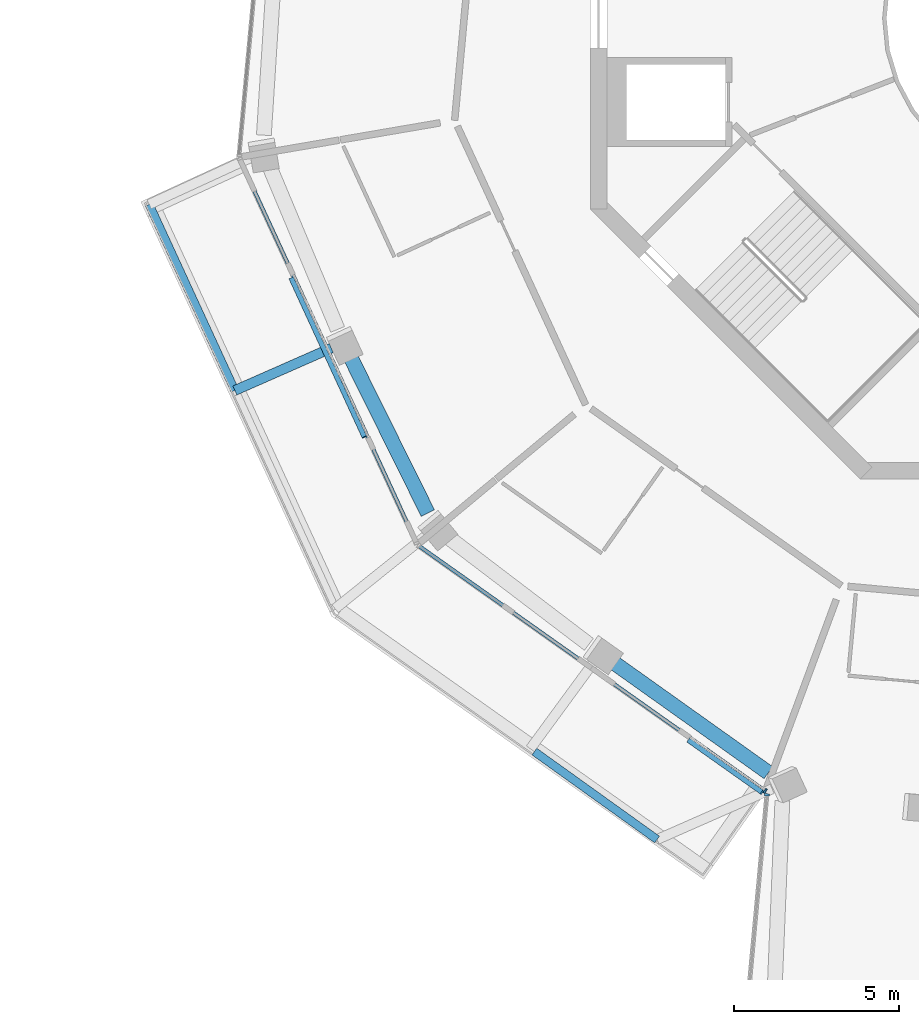
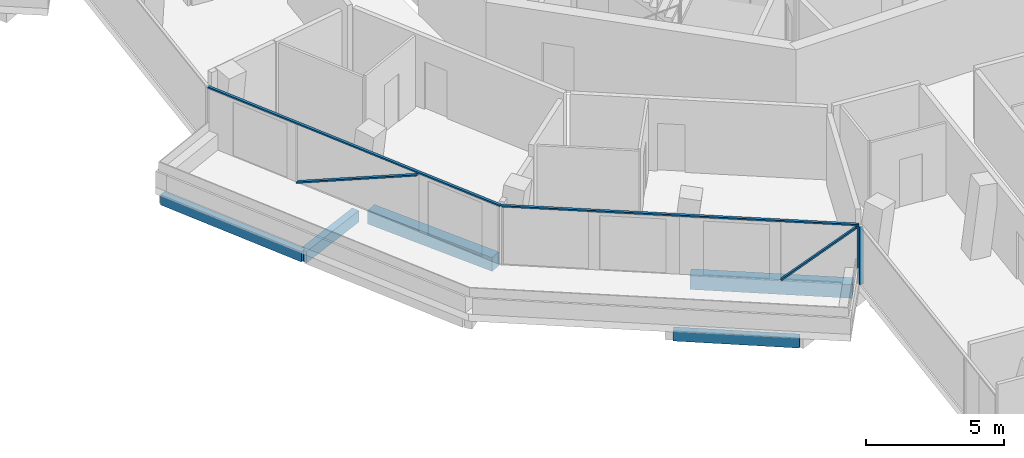
# One storey, part 3 of 23: 6 members, 5 beams, 3 elements without a shape of their own.
"""IFC4 building model written with IfcOpenShell, lengths in metres."""

import ifcopenshell
import ifcopenshell.guid

model = None  # the IFC model being written
_history = None  # IfcOwnerHistory: only IFC2X3 demands one
_inside = {}  # id of a spatial element -> (the spatial element, [elements in it])
_under = {}  # id of a project, library or spatial element -> (it, [spatial elements below it])
_declared = {}  # id of a project -> (the project, [libraries it declares])
_typed = {}  # id of a type object -> (the type object, [elements of that type])
_made_of = {}  # id of a material, layer set ... -> (it, [elements and type objects made of it])


def new_model(schema):
    """Start an empty IFC model of exactly this schema.

    Asked for "IFC4X3", IfcOpenShell would pick the latest addendum, in which some entities
    have other attributes; the version numbers below select the first issue.
    IFC2X3 requires an IfcOwnerHistory on every rooted entity: one is made here for all.
    """
    global model, _history
    if schema == "IFC4X3":
        model = ifcopenshell.file(schema_version=(4, 3, 0, 0))
    else:
        model = ifcopenshell.file(schema=schema)
    _inside.clear()
    _under.clear()
    _declared.clear()
    _typed.clear()
    _made_of.clear()
    _history = None
    if model.schema == "IFC2X3":
        org = make("IfcOrganization", Name="unknown")
        user = make(
            "IfcPersonAndOrganization",
            ThePerson=make("IfcPerson", FamilyName="unknown"),
            TheOrganization=org,
        )
        app = make(
            "IfcApplication",
            ApplicationDeveloper=org,
            Version="unknown",
            ApplicationFullName="unknown",
            ApplicationIdentifier="unknown",
        )
        _history = make(
            "IfcOwnerHistory",
            OwningUser=user,
            OwningApplication=app,
            ChangeAction="ADDED",
            CreationDate=0,
        )
    return model


def make(cls, **values):
    """One entity of the class cls with the attributes given. An attribute that is None is left unset."""
    return model.create_entity(
        cls, **{name: value for name, value in values.items() if value is not None}
    )


def rooted(cls, **values):
    """An entity with a GlobalId (a new one), such as an element, a storey or a relation."""
    return make(cls, GlobalId=ifcopenshell.guid.new(), OwnerHistory=_history, **values)


def si_unit(unit_type, name, prefix=None):
    """IfcSIUnit, for example si_unit("LENGTHUNIT", "METRE", prefix="MILLI")."""
    return make("IfcSIUnit", UnitType=unit_type, Prefix=prefix, Name=name)


def assignment(units):
    """IfcUnitAssignment: the units of a project."""
    return None if units is None else make("IfcUnitAssignment", Units=units)


def point(xyz):
    """IfcCartesianPoint."""
    return None if xyz is None else make("IfcCartesianPoint", Coordinates=xyz)


def direction(xyz):
    """IfcDirection."""
    return None if xyz is None else make("IfcDirection", DirectionRatios=xyz)


def frame(location, z_axis=None, x_axis=None):
    """IfcAxis2Placement3D, a coordinate frame: its origin and axes. An axis left out is left unset."""
    return make(
        "IfcAxis2Placement3D",
        Location=point(location),
        Axis=direction(z_axis),
        RefDirection=direction(x_axis),
    )


def frame_2d(location, x_axis=None):
    """IfcAxis2Placement2D, a coordinate frame in the plane: its origin and x axis."""
    return make(
        "IfcAxis2Placement2D", Location=point(location), RefDirection=direction(x_axis)
    )


def origin():
    """The frame at (0, 0, 0) with its axes left unset."""
    return frame((0.0, 0.0, 0.0))


def origin_2d():
    """The frame at (0, 0) in the plane with its x axis left unset."""
    return frame_2d((0.0, 0.0))


def place(relative_to, where):
    """IfcLocalPlacement: puts the frame where relative to a parent placement (None: the world)."""
    return make(
        "IfcLocalPlacement", PlacementRelTo=relative_to, RelativePlacement=where
    )


def context(
    kind, dimensions, precision=None, world=None, true_north=None, identifier=None
):
    """IfcGeometricRepresentationContext, for example the 3D "Model" context."""
    return make(
        "IfcGeometricRepresentationContext",
        ContextIdentifier=identifier,
        ContextType=kind,
        CoordinateSpaceDimension=dimensions,
        Precision=precision,
        WorldCoordinateSystem=world,
        TrueNorth=true_north,
    )


def subcontext(parent, identifier, kind, view, scale=None):
    """IfcGeometricRepresentationSubContext, for example "Body" below "Model"."""
    return make(
        "IfcGeometricRepresentationSubContext",
        ContextIdentifier=identifier,
        ContextType=kind,
        ParentContext=parent,
        TargetScale=scale,
        TargetView=view,
    )


def project(units=None, contexts=None):
    """IfcProject with its units and contexts."""
    return rooted(
        "IfcProject",
        Name="project",
        RepresentationContexts=contexts,
        UnitsInContext=assignment(units),
    )


def spatial(cls, under=None, at=None, **own):
    """A site, building, storey or space (cls), placed at a placement, below another one or the project."""
    s = rooted(cls, ObjectPlacement=at, **own)
    if under is not None:
        _under.setdefault(under.id(), (under, []))[1].append(s)
    return s


def profile(cls, at=None, kind="AREA", **sizes):
    """A parametric profile (cls). Its sizes go by their IFC names, for example OverallWidth=200.0."""
    return make(cls, ProfileType=kind, Position=at, **sizes)


def rectangle(**sizes):
    """IfcRectangleProfileDef."""
    return profile("IfcRectangleProfileDef", **sizes)


def extrude(swept, where, along, depth):
    """IfcExtrudedAreaSolid: the profile swept, set in the frame where, extruded along a direction by depth."""
    return make(
        "IfcExtrudedAreaSolid",
        SweptArea=swept,
        Position=where,
        ExtrudedDirection=direction(along),
        Depth=depth,
    )


def shape(context_of_items, identifier, shape_type, items):
    """IfcShapeRepresentation: the items that make up one representation, for example the "Body"."""
    return make(
        "IfcShapeRepresentation",
        ContextOfItems=context_of_items,
        RepresentationIdentifier=identifier,
        RepresentationType=shape_type,
        Items=items,
    )


def material(Name=None, Category=None):
    """IfcMaterial."""
    return make("IfcMaterial", Name=Name, Category=Category)


def layer(
    of_material, thickness, ventilated=None, Name=None, Category=None, Priority=None
):
    """IfcMaterialLayer: one layer of a wall or slab, of a material (None: an air gap)."""
    return make(
        "IfcMaterialLayer",
        Material=of_material,
        LayerThickness=thickness,
        IsVentilated=ventilated,
        Name=Name,
        Category=Category,
        Priority=Priority,
    )


def layer_set(layers, Name=None):
    """IfcMaterialLayerSet."""
    return make("IfcMaterialLayerSet", MaterialLayers=layers, LayerSetName=Name)


def material_profile(
    of_material, cross_section, Name=None, Category=None, Priority=None
):
    """IfcMaterialProfile: a cross section and its material."""
    return make(
        "IfcMaterialProfile",
        Name=Name,
        Material=of_material,
        Profile=cross_section,
        Priority=Priority,
        Category=Category,
    )


def profile_set(profiles, Name=None, composite=None):
    """IfcMaterialProfileSet."""
    return make(
        "IfcMaterialProfileSet",
        Name=Name,
        MaterialProfiles=profiles,
        CompositeProfile=composite,
    )


def made_of(thing, what):
    """Note that an element or type object is made of a material, layer set ...; save() writes the relation."""
    if what is not None:
        _made_of.setdefault(what.id(), (what, []))[1].append(thing)
    return thing


def type_object(cls, material=None, **own):
    """A type object (cls), such as IfcWallType, which elements share."""
    return made_of(rooted(cls, **own), material)


def element(
    cls,
    number,
    at=None,
    inside=None,
    cuts=None,
    type_object=None,
    material=None,
    context=None,
    identifier="Body",
    shape_type=None,
    held_by="IfcProductDefinitionShape",
    body=None,
    shapes=None,
    **own,
):
    """One element of the class cls, such as IfcWall. Its Tag is "e" and its number.

    at: its placement. inside: the storey or other place that contains it. cuts: it is an
    opening in that element (IfcRelVoidsElement). A single representation is given by context,
    identifier, shape_type and body (its items); several are given by shapes. held_by: the class
    of the entity that holds the representations. save() writes the other relations.
    """
    e = rooted(cls, Tag="e%d" % number, ObjectPlacement=at, **own)
    if body is not None:
        shapes = [shape(context, identifier, shape_type, body)]
    if shapes is not None:
        e.Representation = make(held_by, Representations=shapes)
    if inside is not None:
        _inside.setdefault(inside.id(), (inside, []))[1].append(e)
    if cuts is not None:
        rooted(
            "IfcRelVoidsElement", RelatingBuildingElement=cuts, RelatedOpeningElement=e
        )
    if type_object is not None:
        _typed.setdefault(type_object.id(), (type_object, []))[1].append(e)
    return made_of(e, material)


def aggregate(whole, parts):
    """IfcRelAggregates: a whole, such as a stair, and the parts it consists of."""
    return rooted("IfcRelAggregates", RelatingObject=whole, RelatedObjects=parts)


def save(model, path):
    """Write the relations noted so far, then the file.

    IfcRelAggregates (storeys below a building ...), IfcRelContainedInSpatialStructure (elements
    in a storey), IfcRelDefinesByType, IfcRelAssociatesMaterial and IfcRelDeclares: one each for
    every whole, place, type object, material and project.
    """
    for whole, parts in _under.values():
        aggregate(whole, parts)
    for where, things in _inside.values():
        rooted(
            "IfcRelContainedInSpatialStructure",
            RelatedElements=things,
            RelatingStructure=where,
        )
    for kind, things in _typed.values():
        rooted("IfcRelDefinesByType", RelatedObjects=things, RelatingType=kind)
    for what, things in _made_of.values():
        rooted("IfcRelAssociatesMaterial", RelatedObjects=things, RelatingMaterial=what)
    for by, libraries in _declared.values():
        rooted("IfcRelDeclares", RelatingContext=by, RelatedDefinitions=libraries)
    model.write(path)


model = new_model("IFC4")

# Units and contexts
model_context = context("Model", 3, precision=1e-05, world=origin(), true_north=direction((0.0, 1.0)))
body_context = subcontext(model_context, "Body", "Model", "MODEL_VIEW")
ifc_project = project(units=[si_unit("LENGTHUNIT", "METRE"), si_unit("AREAUNIT", "SQUARE_METRE"), si_unit("VOLUMEUNIT", "CUBIC_METRE"), si_unit("PLANEANGLEUNIT", "RADIAN"), si_unit("MASSUNIT", "GRAM", prefix="KILO")], contexts=[model_context])

# Site, building, storey
site_placement = place(None, origin())
site = spatial("IfcSite", under=ifc_project, at=site_placement, CompositionType="ELEMENT")
building_placement = place(site_placement, origin())
building = spatial("IfcBuilding", under=site, at=building_placement, Name="Verdalira Terraces Hotel", CompositionType="ELEMENT")
storey_placement = place(building_placement, frame((0.0, 0.0, 256.0)))
storey = spatial("IfcBuildingStorey", under=building, at=storey_placement, Name="L63", CompositionType="ELEMENT", Elevation=256.0)

# Beams
ifc_material_1 = material(Name="Concrete C40", Category="concrete")
ifc_material_profile_1 = material_profile(ifc_material_1, rectangle(XDim=0.300049, YDim=0.5, at=origin_2d()), Name="RC 300X500")
ifc_profile_set_1 = profile_set([ifc_material_profile_1], Name="Concrete C40")
beam_type_1 = type_object("IfcBeamType", Name="Balcony cantilever beam RC 300X500 C40", PredefinedType="BEAM", material=ifc_profile_set_1)
beam_1_placement = place(storey_placement, frame((-21.87085, -10.022705, -0.560059), z_axis=(-0.915246411, -0.402894536, 0.0), x_axis=(0.402894536, -0.915246411, 0.0)))
element("IfcBeam", 1, at=beam_1_placement, inside=storey, type_object=beam_type_1, Name="Balcony cantilever beam R12-4", PredefinedType="BEAM", context=body_context, shape_type="SweptSolid", body=[
    extrude(rectangle(XDim=0.300049, YDim=0.5, at=origin_2d()), origin(), (0.0, 0.0, 1.0), 3.200684),
])
ifc_material_2 = material(Name="Concrete C40", Category="concrete")
ifc_material_profile_2 = material_profile(ifc_material_2, rectangle(XDim=0.25, YDim=0.449951, at=origin_2d()), Name="RC 250X450")
ifc_profile_set_2 = profile_set([ifc_material_profile_2], Name="Concrete C40")
beam_type_2 = type_object("IfcBeamType", Name="Balcony edge beam RC 250X450 C40", PredefinedType="BEAM", material=ifc_profile_set_2)
beam_2_placement = place(storey_placement, frame((-15.699707, -22.28418, -0.534912), z_axis=(0.812836871, -0.582491391, 0.0), x_axis=(0.582491391, 0.812836871, 0.0)))
element("IfcBeam", 2, at=beam_2_placement, inside=storey, type_object=beam_type_2, Name="Balcony edge beam R12-1", PredefinedType="BEAM", context=body_context, shape_type="SweptSolid", body=[
    extrude(rectangle(XDim=0.25, YDim=0.449951, at=origin_2d()), origin(), (0.0, 0.0, 1.0), 4.586182),
])
beam_3_placement = place(storey_placement, frame((-27.403564, -5.657715, -0.534912), z_axis=(0.418194973, -0.908357289, 0.0), x_axis=(0.908357289, 0.418194973, 0.0)))
element("IfcBeam", 3, at=beam_3_placement, inside=storey, type_object=beam_type_2, Name="Balcony edge beam R12-2", PredefinedType="BEAM", context=body_context, shape_type="SweptSolid", body=[
    extrude(rectangle(XDim=0.25, YDim=0.449951, at=origin_2d()), origin(), (0.0, 0.0, 1.0), 6.225098),
])

# Curtain wall, member
ifc_material_3 = material(Name="Clear glass", Category="glass")
ifc_layer_1 = layer(ifc_material_3, 0.14990234375)
ifc_layer_set_1 = layer_set([ifc_layer_1], Name="CW1 curtain wall")
curtain_wall_type_1 = type_object("IfcCurtainWallType", Name="CW1 curtain wall", PredefinedType="NOTDEFINED", material=ifc_layer_set_1)
curtain_wall_1_placement = place(storey_placement, origin())
curtain_wall_1 = element("IfcCurtainWall", 4, at=curtain_wall_1_placement, inside=storey, type_object=curtain_wall_type_1, Name="CW1 curtain wall L63 edge 13", PredefinedType="NOTDEFINED")
ifc_material_4 = material(Name="Terracotta frame", Category="masonry")
ifc_material_profile_3 = material_profile(ifc_material_4, rectangle(XDim=0.060059, YDim=0.149902, at=origin_2d()), Name="MU 60x150")
ifc_profile_set_3 = profile_set([ifc_material_profile_3], Name="Terracotta frame")
member_type_1 = type_object("IfcMemberType", Name="CW1 mullion 60x150", PredefinedType="MULLION", material=ifc_profile_set_3)
member_1_placement = place(storey_placement, frame((-8.686035, -23.47876, 0.0), z_axis=(0.0, 0.0, 1.0), x_axis=(0.816339251, -0.577572703, 0.0)))
member_1 = element("IfcMember", 5, at=member_1_placement, type_object=member_type_1, Name="CW1 mullion", PredefinedType="MULLION", context=body_context, shape_type="SweptSolid", body=[
    extrude(rectangle(XDim=0.060059, YDim=0.149902, at=origin_2d()), origin(), (0.0, 0.0, 1.0), 2.524902),
])

curtain_wall_2_placement = place(storey_placement, origin())
curtain_wall_2 = element("IfcCurtainWall", 6, at=curtain_wall_2_placement, inside=storey, type_object=curtain_wall_type_1, Name="CW1 curtain wall L63 edge 12", PredefinedType="NOTDEFINED")
ifc_material_5 = material(Name="Terracotta frame", Category="masonry")
ifc_material_profile_4 = material_profile(ifc_material_5, rectangle(XDim=0.110107, YDim=0.064941, at=origin_2d()), Name="TR 65x110")
ifc_profile_set_4 = profile_set([ifc_material_profile_4], Name="Terracotta frame")
member_type_2 = type_object("IfcMemberType", Name="CW1 transom 65x110", PredefinedType="USERDEFINED", material=ifc_profile_set_4)
member_2_placement = place(storey_placement, frame((-24.668701, -4.245361, 2.557617), z_axis=(0.418190384, -0.908359402, 0.0), x_axis=(0.908359402, 0.418190384, 0.0)))
member_2 = element("IfcMember", 7, at=member_2_placement, type_object=member_type_2, Name="CW1 transom", ObjectType="TRANSOM", PredefinedType="USERDEFINED", context=body_context, shape_type="SweptSolid", body=[
    extrude(rectangle(XDim=0.110107, YDim=0.064941, at=origin_2d()), origin(), (0.0, 0.0, 1.0), 12.919434),
])

# Member
member_3_placement = place(storey_placement, frame((-19.240967, -16.010742, 2.557617), z_axis=(0.816334617, -0.577579253, 0.0), x_axis=(0.577579253, 0.816334617, 0.0)))
member_3 = element("IfcMember", 8, at=member_3_placement, type_object=member_type_2, Name="CW1 transom", ObjectType="TRANSOM", PredefinedType="USERDEFINED", context=body_context, shape_type="SweptSolid", body=[
    extrude(rectangle(XDim=0.110107, YDim=0.064941, at=origin_2d()), origin(), (0.0, 0.0, 1.0), 12.959961),
])

# Curtain wall, member
ifc_material_6 = material(Name="Clear glass", Category="glass")
ifc_layer_2 = layer(ifc_material_6, 0.14990234375)
ifc_layer_set_2 = layer_set([ifc_layer_2], Name="CW2 curtain wall")
curtain_wall_type_2 = type_object("IfcCurtainWallType", Name="CW2 curtain wall", PredefinedType="NOTDEFINED", material=ifc_layer_set_2)
curtain_wall_3_placement = place(storey_placement, origin())
curtain_wall_3 = element("IfcCurtainWall", 9, at=curtain_wall_3_placement, inside=storey, type_object=curtain_wall_type_2, Name="CW2 curtain wall L63 edge 14", PredefinedType="NOTDEFINED")
ifc_material_7 = material(Name="Terracotta frame", Category="masonry")
ifc_material_profile_5 = material_profile(ifc_material_7, rectangle(XDim=0.070068, YDim=0.149902, at=origin_2d()), Name="MU 70x150")
ifc_profile_set_5 = profile_set([ifc_material_profile_5], Name="Terracotta frame")
member_type_3 = type_object("IfcMemberType", Name="CW2 mullion 70x150", PredefinedType="MULLION", material=ifc_profile_set_5)
member_4_placement = place(storey_placement, frame((-8.633301, -23.599121, 0.0), z_axis=(0.0, 0.0, 1.0), x_axis=(-0.092023008, -0.995756881, 0.0)))
member_4 = element("IfcMember", 10, at=member_4_placement, type_object=member_type_3, Name="CW2 mullion", PredefinedType="MULLION", context=body_context, shape_type="SweptSolid", body=[
    extrude(rectangle(XDim=0.070068, YDim=0.149902, at=origin_2d()), origin(), (0.0, 0.0, 1.0), 2.524902),
])
aggregate(curtain_wall_3, [member_4])

# Member
ifc_material_8 = material(Name="Terracotta frame", Category="masonry")
ifc_material_profile_6 = material_profile(ifc_material_8, rectangle(XDim=0.149902, YDim=0.060059, at=origin_2d()), Name="GB 60x150")
ifc_profile_set_6 = profile_set([ifc_material_profile_6], Name="Terracotta frame")
member_type_4 = type_object("IfcMemberType", Name="Diagonal glazing bar 60x150", PredefinedType="USERDEFINED", material=ifc_profile_set_6)
member_5_placement = place(storey_placement, frame((-23.08374, -7.900879, 0.028076), z_axis=(0.379243289, -0.823715256, 0.421506471), x_axis=(0.908350452, 0.418209824, 0.0)))
member_5 = element("IfcMember", 11, at=member_5_placement, type_object=member_type_4, Name="Diagonal glazing bar", ObjectType="GLAZING BAR", PredefinedType="USERDEFINED", context=body_context, shape_type="SweptSolid", body=[
    extrude(rectangle(XDim=0.149902, YDim=0.060059, at=origin_2d()), origin(), (0.0, 0.0, 1.0), 5.857666),
])

aggregate(curtain_wall_2, [member_2, member_5])

member_6_placement = place(storey_placement, frame((-11.009033, -21.944092, 0.023438), z_axis=(0.604151383, -0.427438097, 0.672530877), x_axis=(0.577565146, 0.816344598, 0.0)))
member_6 = element("IfcMember", 12, at=member_6_placement, type_object=member_type_4, Name="Diagonal glazing bar", ObjectType="GLAZING BAR", PredefinedType="USERDEFINED", context=body_context, shape_type="SweptSolid", body=[
    extrude(rectangle(XDim=0.149902, YDim=0.060059, at=origin_2d()), origin(), (0.0, 0.0, 1.0), 3.68457),
])

aggregate(curtain_wall_1, [member_1, member_3, member_6])

# Beams
ifc_material_9 = material(Name="Concrete C40", Category="concrete")
ifc_material_profile_7 = material_profile(ifc_material_9, rectangle(XDim=0.449951, YDim=0.600098, at=origin_2d()), Name="RC 450X600")
ifc_profile_set_7 = profile_set([ifc_material_profile_7], Name="Concrete C40")
beam_type_3 = type_object("IfcBeamType", Name="Spandrel beam RC 450X600 C40", PredefinedType="SPANDREL", material=ifc_profile_set_7)
beam_4_placement = place(storey_placement, frame((-21.333008, -10.204834, -0.610107), z_axis=(0.444260288, -0.89589776, 0.0), x_axis=(0.89589776, 0.444260288, 0.0)))
element("IfcBeam", 13, at=beam_4_placement, inside=storey, type_object=beam_type_3, Name="Spandrel beam B05", PredefinedType="SPANDREL", context=body_context, shape_type="SweptSolid", body=[
    extrude(rectangle(XDim=0.449951, YDim=0.600098, at=origin_2d()), origin(), (0.0, 0.0, 1.0), 5.394287),
])
beam_5_placement = place(storey_placement, frame((-13.390137, -19.508057, -0.610107), z_axis=(0.814659084, -0.579940149, 0.0), x_axis=(0.579940149, 0.814659084, 0.0)))
element("IfcBeam", 14, at=beam_5_placement, inside=storey, type_object=beam_type_3, Name="Spandrel beam B07", PredefinedType="SPANDREL", context=body_context, shape_type="SweptSolid", body=[
    extrude(rectangle(XDim=0.449951, YDim=0.600098, at=origin_2d()), origin(), (0.0, 0.0, 1.0), 5.892334),
])

save(model, "model.ifc")
